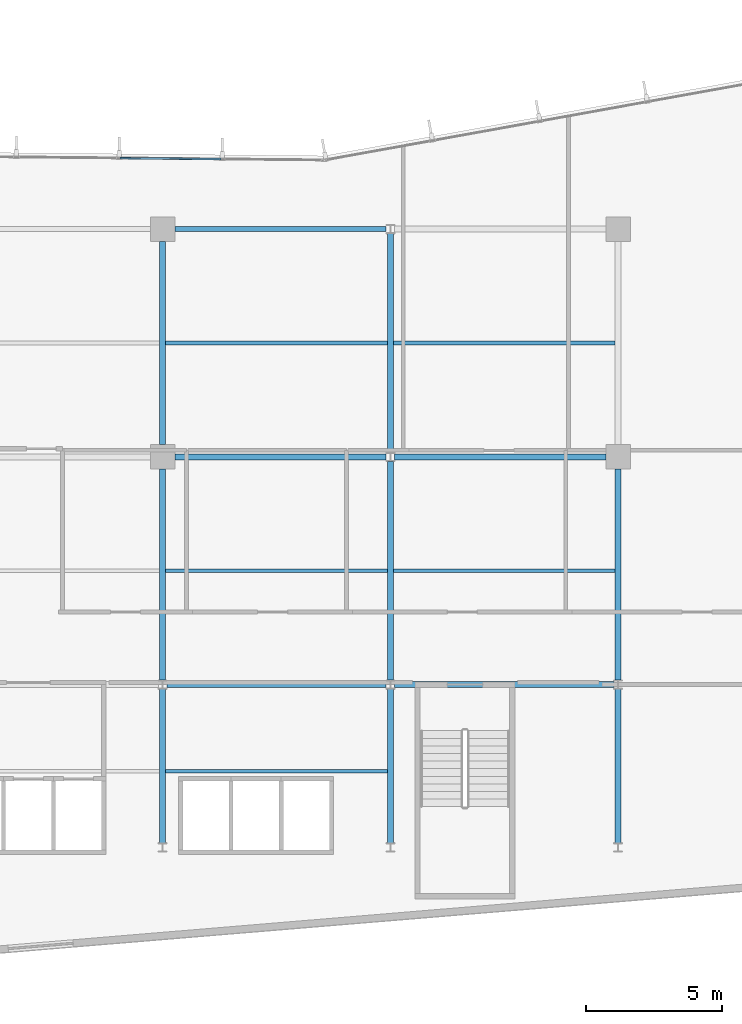
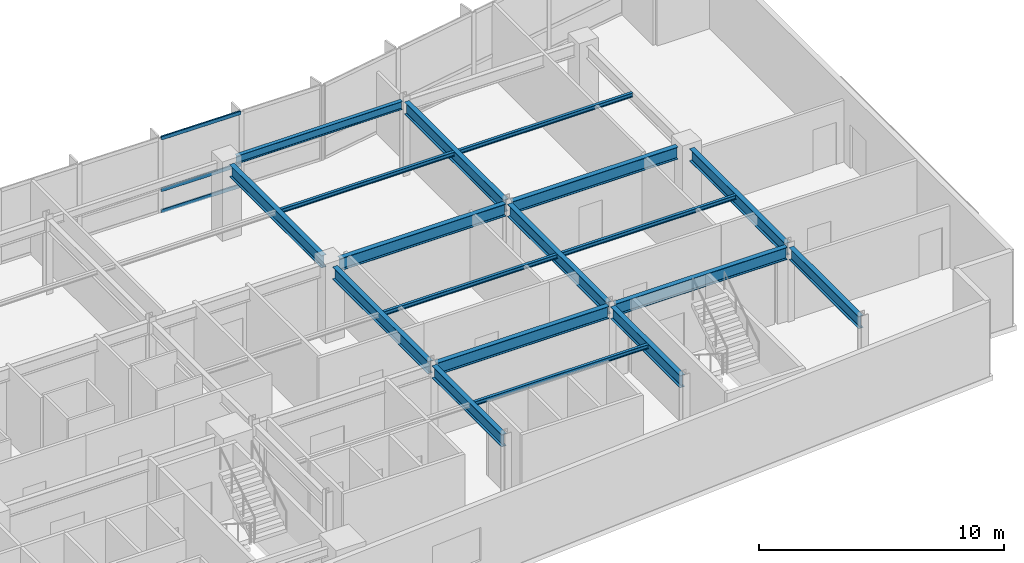
# One storey, part 5 of 18: 18 beams, 3 members, 1 element without a shape of its own.
"""IFC4 building model written with IfcOpenShell, lengths in metres."""

from ifc_helpers import new_model, si_unit, direction, frame, origin, origin_2d, place, context, subcontext, project, spatial, hollow_rectangle, i_section, extrude, material, layer, layer_set, material_profile, profile_set, type_object, element, aggregate, save


model = new_model("IFC4")

# Units and contexts
model_context = context("Model", 3, precision=1e-05, world=origin(), true_north=direction((0.0, 1.0)))
body_context = subcontext(model_context, "Body", "Model", "MODEL_VIEW")
ifc_project = project(units=[si_unit("LENGTHUNIT", "METRE"), si_unit("AREAUNIT", "SQUARE_METRE"), si_unit("VOLUMEUNIT", "CUBIC_METRE"), si_unit("PLANEANGLEUNIT", "RADIAN"), si_unit("MASSUNIT", "GRAM", prefix="KILO")], contexts=[model_context])

# Site, building, storey
site_placement = place(None, origin())
site = spatial("IfcSite", under=ifc_project, at=site_placement, CompositionType="ELEMENT")
building_placement = place(site_placement, origin())
building = spatial("IfcBuilding", under=site, at=building_placement, Name="Varnakote Quay Hospital", CompositionType="ELEMENT")
storey_placement = place(building_placement, frame((0.0, 0.0, 73.85009765625)))
storey = spatial("IfcBuildingStorey", under=building, at=storey_placement, Name="L18", CompositionType="ELEMENT", Elevation=73.85009765625)

# Beams
ifc_material_1 = material(Name="Structural steel AS/NZS 3679.1 Grade 350 L0 (fy 340 MPa)", Category="steel")
ifc_material_profile_1 = material_profile(ifc_material_1, i_section(OverallWidth=0.22900390625, OverallDepth=0.612060546875, WebThickness=0.011962890625, FlangeThickness=0.01953125, FilletRadius=0.013916015625, at=origin_2d()), Name="610UB125")
ifc_profile_set_1 = profile_set([ifc_material_profile_1], Name="Structural steel AS/NZS 3679.1 Grade 350 L0 (fy 340 MPa)")
beam_type_1 = type_object("IfcBeamType", Name="BM-STL-610UB125", PredefinedType="BEAM", material=ifc_profile_set_1)
for number, where, z_axis, x_axis, name in (
    (1, (33.755615234375, 12.0, 3.40380859375), (1.0, 0.0, 0.0), (0.0, 1.0, 0.0), "L18 Primary Floor Beam"),
    (2, (42.155517578125, 12.0, 3.40380859375), (1.0, 0.0, 0.0), (0.0, 1.0, 0.0), "L18 Primary Floor Beam"),
):
    element("IfcBeam", number, at=place(storey_placement, frame(where, z_axis=z_axis, x_axis=x_axis)), inside=storey, type_object=beam_type_1, Name=name, PredefinedType="BEAM", context=body_context, shape_type="SweptSolid", body=[
        extrude(i_section(OverallWidth=0.22900390625, OverallDepth=0.612060546875, WebThickness=0.011962890625, FlangeThickness=0.01953125, FilletRadius=0.013916015625, at=origin_2d()), origin(), (0.0, 0.0, 1.0), 8.0888671875),
    ])
for number, where, z_axis, x_axis, name in (
    (3, (34.050048828125, 20.39990234375, 3.40380859375), (1.0, 0.0, 0.0), (0.0, 1.0, 0.0), "L18 Primary Floor Beam"),
    (4, (42.155517578125, 20.39990234375, 3.40380859375), (1.0, 0.0, 0.0), (0.0, 1.0, 0.0), "L18 Primary Floor Beam"),
):
    element("IfcBeam", number, at=place(storey_placement, frame(where, z_axis=z_axis, x_axis=x_axis)), inside=storey, type_object=beam_type_1, Name=name, PredefinedType="BEAM", context=body_context, shape_type="SweptSolid", body=[
        extrude(i_section(OverallWidth=0.22900390625, OverallDepth=0.612060546875, WebThickness=0.011962890625, FlangeThickness=0.01953125, FilletRadius=0.013916015625, at=origin_2d()), origin(), (0.0, 0.0, 1.0), 7.79443359375),
    ])
beam_1_placement = place(storey_placement, frame((33.60009765625, 6.16357421875, 3.40380859375), z_axis=(0.0, 1.0, 0.0), x_axis=(-1.0, 0.0, 0.0)))
element("IfcBeam", 5, at=beam_1_placement, inside=storey, type_object=beam_type_1, Name="L18 Primary Tie Beam", PredefinedType="BEAM", context=body_context, shape_type="SweptSolid", body=[
    extrude(i_section(OverallWidth=0.22900390625, OverallDepth=0.612060546875, WebThickness=0.011962890625, FlangeThickness=0.01953125, FilletRadius=0.013916015625, at=origin_2d()), origin(), (0.0, 0.0, 1.0), 5.6728515625),
])
beam_2_placement = place(storey_placement, frame((33.60009765625, 12.16357421875, 3.40380859375), z_axis=(0.0, 1.0, 0.0), x_axis=(-1.0, 0.0, 0.0)))
element("IfcBeam", 6, at=beam_2_placement, inside=storey, type_object=beam_type_1, Name="L18 Primary Tie Beam", PredefinedType="BEAM", context=body_context, shape_type="SweptSolid", body=[
    extrude(i_section(OverallWidth=0.22900390625, OverallDepth=0.612060546875, WebThickness=0.011962890625, FlangeThickness=0.01953125, FilletRadius=0.013916015625, at=origin_2d()), origin(), (0.0, 0.0, 1.0), 7.786376953125),
])
beam_3_placement = place(storey_placement, frame((33.60009765625, 20.85009765625, 3.40380859375), z_axis=(0.0, 1.0, 0.0), x_axis=(-1.0, 0.0, 0.0)))
element("IfcBeam", 7, at=beam_3_placement, inside=storey, type_object=beam_type_1, Name="L18 Primary Tie Beam", PredefinedType="BEAM", context=body_context, shape_type="SweptSolid", body=[
    extrude(i_section(OverallWidth=0.22900390625, OverallDepth=0.612060546875, WebThickness=0.011962890625, FlangeThickness=0.01953125, FilletRadius=0.013916015625, at=origin_2d()), origin(), (0.0, 0.0, 1.0), 7.5),
])
beam_4_placement = place(storey_placement, frame((42.0, 6.16357421875, 3.40380859375), z_axis=(0.0, 1.0, 0.0), x_axis=(-1.0, 0.0, 0.0)))
element("IfcBeam", 8, at=beam_4_placement, inside=storey, type_object=beam_type_1, Name="L18 Primary Tie Beam", PredefinedType="BEAM", context=body_context, shape_type="SweptSolid", body=[
    extrude(i_section(OverallWidth=0.22900390625, OverallDepth=0.612060546875, WebThickness=0.011962890625, FlangeThickness=0.01953125, FilletRadius=0.013916015625, at=origin_2d()), origin(), (0.0, 0.0, 1.0), 5.6728515625),
])
for number, where, z_axis, x_axis, name in (
    (9, (42.0, 12.16357421875, 3.40380859375), (0.0, 1.0, 0.0), (-1.0, 0.0, 0.0), "L18 Primary Tie Beam"),
    (10, (42.0, 20.5634765625, 3.40380859375), (0.0, 1.0, 0.0), (-1.0, 0.0, 0.0), "L18 Primary Tie Beam"),
):
    element("IfcBeam", number, at=place(storey_placement, frame(where, z_axis=z_axis, x_axis=x_axis)), inside=storey, type_object=beam_type_1, Name=name, PredefinedType="BEAM", context=body_context, shape_type="SweptSolid", body=[
        extrude(i_section(OverallWidth=0.22900390625, OverallDepth=0.612060546875, WebThickness=0.011962890625, FlangeThickness=0.01953125, FilletRadius=0.013916015625, at=origin_2d()), origin(), (0.0, 0.0, 1.0), 8.072998046875),
    ])
beam_5_placement = place(storey_placement, frame((50.39990234375, 6.16357421875, 3.40380859375), z_axis=(0.0, 1.0, 0.0), x_axis=(-1.0, 0.0, 0.0)))
element("IfcBeam", 11, at=beam_5_placement, inside=storey, type_object=beam_type_1, Name="L18 Primary Tie Beam", PredefinedType="BEAM", context=body_context, shape_type="SweptSolid", body=[
    extrude(i_section(OverallWidth=0.22900390625, OverallDepth=0.612060546875, WebThickness=0.011962890625, FlangeThickness=0.01953125, FilletRadius=0.013916015625, at=origin_2d()), origin(), (0.0, 0.0, 1.0), 5.6728515625),
])
beam_6_placement = place(storey_placement, frame((50.39990234375, 12.16357421875, 3.40380859375), z_axis=(0.0, 1.0, 0.0), x_axis=(-1.0, 0.0, 0.0)))
element("IfcBeam", 12, at=beam_6_placement, inside=storey, type_object=beam_type_1, Name="L18 Primary Tie Beam", PredefinedType="BEAM", context=body_context, shape_type="SweptSolid", body=[
    extrude(i_section(OverallWidth=0.22900390625, OverallDepth=0.612060546875, WebThickness=0.011962890625, FlangeThickness=0.01953125, FilletRadius=0.013916015625, at=origin_2d()), origin(), (0.0, 0.0, 1.0), 7.786376953125),
])

# Curtain wall, members
ifc_material_2 = material(Name="Anodised aluminium 6063-T6 Bronze", Category="aluminium")
ifc_layer = layer(ifc_material_2, 0.18994140625)
ifc_layer_set = layer_set([ifc_layer], Name="Anodised aluminium 6063-T6 Bronze")
curtain_wall_type = type_object("IfcCurtainWallType", Name="CW-SYS-2", PredefinedType="NOTDEFINED", material=ifc_layer_set)
curtain_wall_placement = place(storey_placement, origin())
curtain_wall = element("IfcCurtainWall", 13, at=curtain_wall_placement, inside=storey, type_object=curtain_wall_type, Name="L18 Unitised Bronze Curtain Wall 2", PredefinedType="NOTDEFINED")
ifc_material_3 = material(Name="Anodised aluminium 6063-T6 Bronze", Category="aluminium")
ifc_material_profile_2 = material_profile(ifc_material_3, hollow_rectangle(XDim=0.074951171875, YDim=0.179931640625, WallThickness=0.004150390625, InnerFilletRadius=0.004150390625, OuterFilletRadius=0.00830078125, at=origin_2d()), Name="CW-TRAN-180x75")
ifc_profile_set_2 = profile_set([ifc_material_profile_2], Name="Anodised aluminium 6063-T6 Bronze")
member_type = type_object("IfcMemberType", Name="CW-TRAN-180x75", PredefinedType="USERDEFINED", material=ifc_profile_set_2)
member_1_placement = place(storey_placement, frame((35.756591796875, 31.38134765625, 0.037353515625), z_axis=(-0.999952203239, 0.009777077123, 0.0), x_axis=(-0.009777077123, -0.999952203239, 0.0)))
member_1 = element("IfcMember", 14, at=member_1_placement, type_object=member_type, Name="-2-L18-2 transom 2.1", ObjectType="TRANSOM", PredefinedType="USERDEFINED", context=body_context, shape_type="SweptSolid", body=[
    extrude(hollow_rectangle(XDim=0.074951171875, YDim=0.179931640625, WallThickness=0.004150390625, InnerFilletRadius=0.004150390625, OuterFilletRadius=0.00830078125, at=origin_2d()), origin(), (0.0, 0.0, 1.0), 3.720703125),
])
member_2_placement = place(storey_placement, frame((35.756591796875, 31.38134765625, 1.099853515625), z_axis=(-0.999952203239, 0.009777077123, 0.0), x_axis=(-0.009777077123, -0.999952203239, 0.0)))
member_2 = element("IfcMember", 15, at=member_2_placement, type_object=member_type, Name="-2-L18-2 transom 2.2", ObjectType="TRANSOM", PredefinedType="USERDEFINED", context=body_context, shape_type="SweptSolid", body=[
    extrude(hollow_rectangle(XDim=0.074951171875, YDim=0.179931640625, WallThickness=0.004150390625, InnerFilletRadius=0.004150390625, OuterFilletRadius=0.00830078125, at=origin_2d()), origin(), (0.0, 0.0, 1.0), 3.720703125),
])
member_3_placement = place(storey_placement, frame((35.756591796875, 31.38134765625, 3.67236328125), z_axis=(-0.999952203239, 0.009777077123, 0.0), x_axis=(-0.009777077123, -0.999952203239, 0.0)))
member_3 = element("IfcMember", 16, at=member_3_placement, type_object=member_type, Name="-2-L18-2 transom 2.3", ObjectType="TRANSOM", PredefinedType="USERDEFINED", context=body_context, shape_type="SweptSolid", body=[
    extrude(hollow_rectangle(XDim=0.074951171875, YDim=0.179931640625, WallThickness=0.004150390625, InnerFilletRadius=0.004150390625, OuterFilletRadius=0.00830078125, at=origin_2d()), origin(), (0.0, 0.0, 1.0), 3.720703125),
])
aggregate(curtain_wall, [member_1, member_2, member_3])

# Beams
ifc_material_4 = material(Name="Structural steel AS/NZS 3679.1 Grade 350 L0 (fy 340 MPa)", Category="steel")
ifc_material_profile_3 = material_profile(ifc_material_4, i_section(OverallWidth=0.134033203125, OverallDepth=0.20703125, WebThickness=0.00634765625, FlangeThickness=0.009521484375, FilletRadius=0.0087890625, at=origin_2d()), Name="200UB29.8")
ifc_profile_set_3 = profile_set([ifc_material_profile_3], Name="Structural steel AS/NZS 3679.1 Grade 350 L0 (fy 340 MPa)")
beam_type_2 = type_object("IfcBeamType", Name="JST-STL-200UB29-8", PredefinedType="JOIST", material=ifc_profile_set_3)
for number, where, z_axis, x_axis, name in (
    (17, (33.714599609375, 8.800048828125, 3.6064453125), (1.0, 0.0, 0.0), (0.0, 1.0, 0.0), "L18 Composite Floor Joist"),
    (18, (33.714599609375, 16.199951171875, 3.6064453125), (1.0, 0.0, 0.0), (0.0, 1.0, 0.0), "L18 Composite Floor Joist"),
    (19, (42.114501953125, 16.199951171875, 3.6064453125), (1.0, 0.0, 0.0), (0.0, 1.0, 0.0), "L18 Composite Floor Joist"),
    (20, (33.714599609375, 24.60009765625, 3.6064453125), (1.0, 0.0, 0.0), (0.0, 1.0, 0.0), "L18 Composite Floor Joist"),
    (21, (42.114501953125, 24.60009765625, 3.6064453125), (1.0, 0.0, 0.0), (0.0, 1.0, 0.0), "L18 Composite Floor Joist"),
):
    element("IfcBeam", number, at=place(storey_placement, frame(where, z_axis=z_axis, x_axis=x_axis)), inside=storey, type_object=beam_type_2, Name=name, PredefinedType="JOIST", context=body_context, shape_type="SweptSolid", body=[
        extrude(i_section(OverallWidth=0.134033203125, OverallDepth=0.20703125, WebThickness=0.00634765625, FlangeThickness=0.009521484375, FilletRadius=0.0087890625, at=origin_2d()), origin(), (0.0, 0.0, 1.0), 8.1708984375),
    ])
ifc_material_5 = material(Name="Structural steel AS/NZS 3679.1 Grade 350 L0 (fy 340 MPa)", Category="steel")
ifc_material_profile_4 = material_profile(ifc_material_5, i_section(OverallWidth=0.177978515625, OverallDepth=0.406005859375, WebThickness=0.0078125, FlangeThickness=0.0126953125, FilletRadius=0.011474609375, at=origin_2d()), Name="410UB59.7")
ifc_profile_set_4 = profile_set([ifc_material_profile_4], Name="Structural steel AS/NZS 3679.1 Grade 350 L0 (fy 340 MPa)")
beam_type_3 = type_object("IfcBeamType", Name="SPN-STL-410UB59-7", PredefinedType="SPANDREL", material=ifc_profile_set_4)
beam_7_placement = place(storey_placement, frame((34.050048828125, 28.800048828125, 3.5068359375), z_axis=(1.0, 0.0, 0.0), x_axis=(0.0, 1.0, 0.0)))
element("IfcBeam", 22, at=beam_7_placement, inside=storey, type_object=beam_type_3, Name="L18 Perimeter Spandrel Beam", PredefinedType="SPANDREL", context=body_context, shape_type="SweptSolid", body=[
    extrude(i_section(OverallWidth=0.177978515625, OverallDepth=0.406005859375, WebThickness=0.0078125, FlangeThickness=0.0126953125, FilletRadius=0.011474609375, at=origin_2d()), origin(), (0.0, 0.0, 1.0), 7.79443359375),
])

save(model, "model.ifc")
